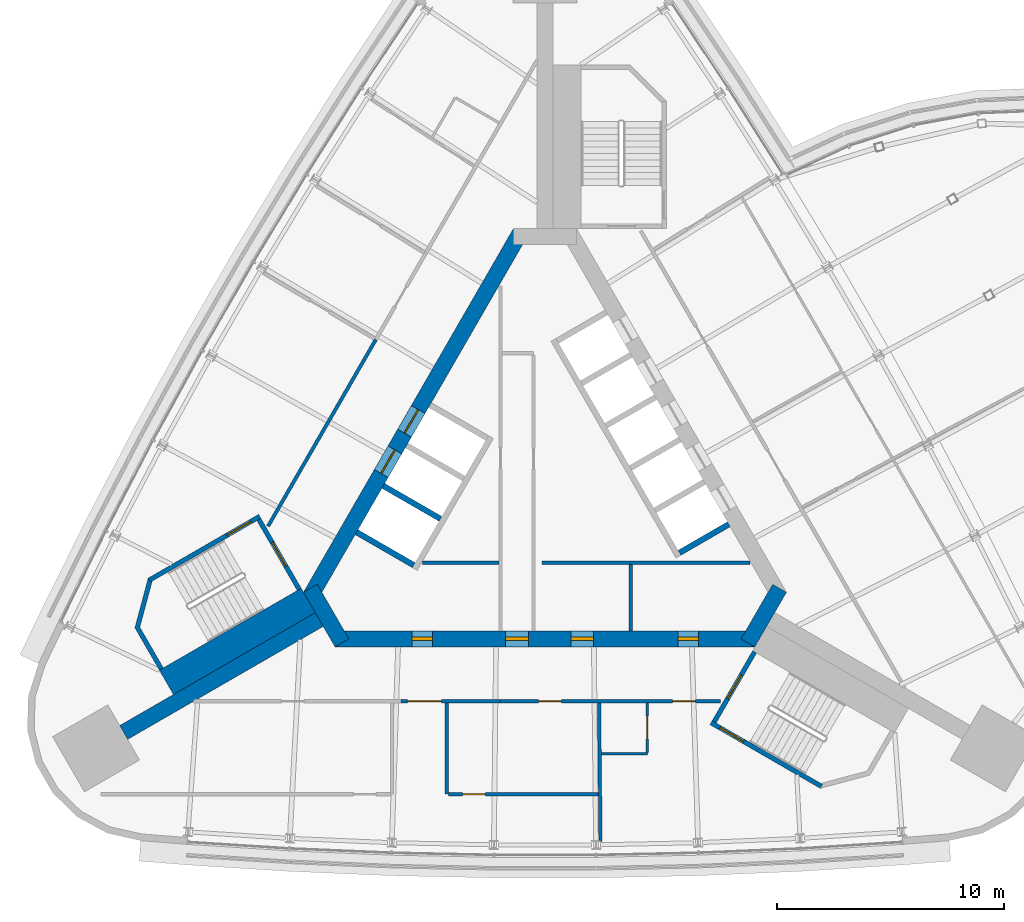
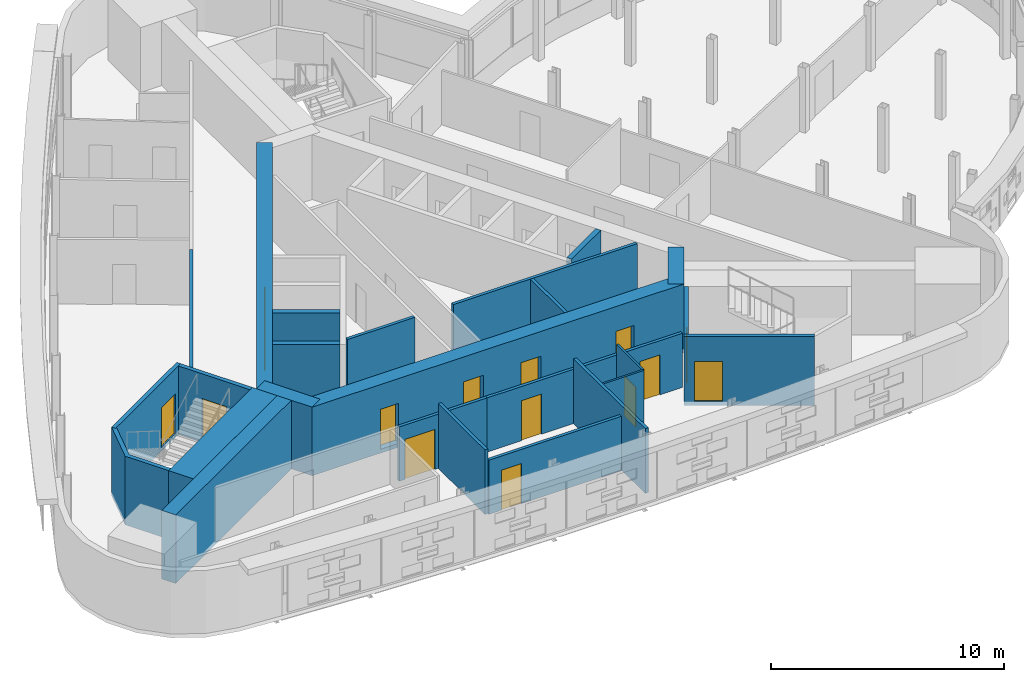
# One storey, part 10 of 15: 25 walls, 15 doors, 15 openings.
"""IFC4 building model written with IfcOpenShell, lengths in metres."""

from ifc_helpers import new_model, si_unit, direction, frame, frame_2d, origin, place, context, subcontext, project, spatial, polyline, rectangle, outline, extrude, material, layer, layer_set, type_object, element, fill, save


model = new_model("IFC4")

# Units and contexts
model_context = context("Model", 3, precision=1e-05, world=origin(), true_north=direction((0.0, 1.0)))
body_context = subcontext(model_context, "Body", "Model", "MODEL_VIEW")
ifc_project = project(units=[si_unit("LENGTHUNIT", "METRE"), si_unit("AREAUNIT", "SQUARE_METRE"), si_unit("VOLUMEUNIT", "CUBIC_METRE"), si_unit("PLANEANGLEUNIT", "RADIAN"), si_unit("MASSUNIT", "GRAM", prefix="KILO")], contexts=[model_context])

# Site, building, storey
site_placement = place(None, origin())
site = spatial("IfcSite", under=ifc_project, at=site_placement, CompositionType="ELEMENT")
building_placement = place(site_placement, origin())
building = spatial("IfcBuilding", under=site, at=building_placement, Name="Noor Cloister Tower", CompositionType="ELEMENT")
storey_placement = place(building_placement, frame((0.0, 0.0, 177.89990234375)))
storey = spatial("IfcBuildingStorey", under=building, at=storey_placement, Name="L45", CompositionType="ELEMENT", Elevation=177.89990234375)

# Walls
ifc_material_1 = material(Name="Concrete C70/85", Category="concrete")
ifc_layer_1 = layer(ifc_material_1, 0.699951171875)
ifc_layer_set_1 = layer_set([ifc_layer_1], Name="Buttress wall 700 C70/85")
wall_type_1 = type_object("IfcWallType", Name="Buttress wall 700 C70/85", PredefinedType="SHEAR", material=ifc_layer_set_1)
wall_1_placement = place(storey_placement, frame((-9.921630859375, -5.728271484375, -0.199951171875), z_axis=(0.0, 0.0, 1.0), x_axis=(-0.866029553954, -0.499992811627, 0.0)))
element("IfcWall", 1, at=wall_1_placement, inside=storey, type_object=wall_type_1, Name="Buttress wall SW L45", PredefinedType="SHEAR", context=body_context, shape_type="SweptSolid", body=[
    extrude(rectangle(XDim=9.927490234375, YDim=0.699951171875, at=frame_2d((4.9638671875, 0.0))), origin(), (0.0, 0.0, 1.0), 3.60009765625),
])
ifc_material_2 = material(Name="Concrete C30/37", Category="concrete")
ifc_layer_2 = layer(ifc_material_2, 0.14990234375)
ifc_layer_set_2 = layer_set([ifc_layer_2], Name="Core partition 150 C30/37")
wall_type_2 = type_object("IfcWallType", Name="Core partition 150 C30/37", PredefinedType="PARTITIONING", material=ifc_layer_set_2)
wall_2_placement = place(storey_placement, frame((-5.373291015625, -3.228271484375, 0.0), z_axis=(0.0, 0.0, 1.0), x_axis=(1.0, 0.0, 0.0)))
element("IfcWall", 2, at=wall_2_placement, inside=storey, type_object=wall_type_2, Name="Core room partition L45 1", PredefinedType="PARTITIONING", context=body_context, shape_type="SweptSolid", body=[
    extrude(rectangle(XDim=3.344482421875, YDim=0.14990234375, at=frame_2d((1.67236328125, 0.0))), origin(), (0.0, 0.0, 1.0), 3.400146484375),
])
wall_3_placement = place(storey_placement, frame((-0.128662109375, -3.228271484375, 0.0), z_axis=(0.0, 0.0, 1.0), x_axis=(1.0, 0.0, 0.0)))
element("IfcWall", 3, at=wall_3_placement, inside=storey, type_object=wall_type_2, Name="Core room partition L45 5", PredefinedType="PARTITIONING", context=body_context, shape_type="SweptSolid", body=[
    extrude(rectangle(XDim=9.13916015625, YDim=0.14990234375, at=frame_2d((4.569580078125, 0.0))), origin(), (0.0, 0.0, 1.0), 3.400146484375),
])
wall_4_placement = place(storey_placement, frame((3.771240234375, -3.30322265625, 0.0), z_axis=(0.0, 0.0, 1.0), x_axis=(0.0, -1.0, 0.0)))
element("IfcWall", 4, at=wall_4_placement, inside=storey, type_object=wall_type_2, Name="Core room partition L45 6", PredefinedType="PARTITIONING", context=body_context, shape_type="SweptSolid", body=[
    extrude(rectangle(XDim=2.925048828125, YDim=0.14990234375, at=frame_2d((1.46240234375, 0.0))), origin(), (0.0, 0.0, 1.0), 3.400146484375),
])

# Wall, openings, doors
ifc_material_3 = material(Name="Concrete C70/85", Category="concrete")
ifc_layer_3 = layer(ifc_material_3, 0.699951171875)
ifc_layer_set_3 = layer_set([ifc_layer_3], Name="Core wall 700 C70/85")
wall_type_3 = type_object("IfcWallType", Name="Core wall 700 C70/85", PredefinedType="SHEAR", material=ifc_layer_set_3)
wall_5_placement = place(storey_placement, frame((-9.228759765625, -6.578125, -0.199951171875), z_axis=(0.0, 0.0, 1.0), x_axis=(1.0, 0.0, 0.0)))
wall_5 = element("IfcWall", 5, at=wall_5_placement, inside=storey, type_object=wall_type_3, Name="Core wall L45 1", PredefinedType="SHEAR", context=body_context, shape_type="SweptSolid", body=[
    extrude(rectangle(XDim=18.45751953125, YDim=0.699951171875, at=frame_2d((9.228759765625, 0.0))), origin(), (0.0, 0.0, 1.0), 3.60009765625),
])
opening_1_placement = place(wall_5_placement, frame((7.5, 0.0, 0.199951171875)))
opening_1 = element("IfcOpeningElement", 6, at=opening_1_placement, cuts=wall_5, Name="Opening L45-901", PredefinedType="OPENING", context=body_context, shape_type="SweptSolid", body=[
    extrude(rectangle(XDim=1.0, YDim=2.10009765625, at=frame_2d((0.5, 1.050048828125))), frame((0.0, 0.35986328125, 0.0), z_axis=(0.0, -1.0, 0.0), x_axis=(1.0, 0.0, 0.0)), (0.0, 0.0, 1.0), 0.719970703125),
])
opening_2_placement = place(wall_5_placement, frame((3.389404296875, 0.0, 0.199951171875)))
opening_2 = element("IfcOpeningElement", 7, at=opening_2_placement, cuts=wall_5, Name="Opening L45-902", PredefinedType="OPENING", context=body_context, shape_type="SweptSolid", body=[
    extrude(rectangle(XDim=0.89990234375, YDim=2.10009765625, at=frame_2d((0.449951171875, 1.050048828125))), frame((0.0, 0.35986328125, 0.0), z_axis=(0.0, -1.0, 0.0), x_axis=(1.0, 0.0, 0.0)), (0.0, 0.0, 1.0), 0.719970703125),
])
opening_3_placement = place(wall_5_placement, frame((10.362548828125, 0.0, 0.199951171875)))
opening_3 = element("IfcOpeningElement", 8, at=opening_3_placement, cuts=wall_5, Name="Opening L45-903", PredefinedType="OPENING", context=body_context, shape_type="SweptSolid", body=[
    extrude(rectangle(XDim=1.0, YDim=2.10009765625, at=frame_2d((0.5, 1.050048828125))), frame((0.0, 0.35986328125, 0.0), z_axis=(0.0, -1.0, 0.0), x_axis=(1.0, 0.0, 0.0)), (0.0, 0.0, 1.0), 0.719970703125),
])
opening_4_placement = place(wall_5_placement, frame((15.07666015625, 0.0, 0.199951171875)))
opening_4 = element("IfcOpeningElement", 9, at=opening_4_placement, cuts=wall_5, Name="Opening L45-904", PredefinedType="OPENING", context=body_context, shape_type="SweptSolid", body=[
    extrude(rectangle(XDim=0.89990234375, YDim=2.10009765625, at=frame_2d((0.449951171875, 1.050048828125))), frame((0.0, 0.35986328125, 0.0), z_axis=(0.0, -1.0, 0.0), x_axis=(1.0, 0.0, 0.0)), (0.0, 0.0, 1.0), 0.719970703125),
])
ifc_material_4 = material(Name="Steel", Category="steel")
door_type_1 = type_object("IfcDoorType", Name="Core door 1000 x 2100 FD120", OperationType="SINGLE_SWING_LEFT", PredefinedType="DOOR", material=ifc_material_4)
door_1_placement = place(opening_1_placement, origin())
door_1 = element("IfcDoor", 10, at=door_1_placement, inside=storey, type_object=door_type_1, Name="Core door 1 L45", OperationType="SINGLE_SWING_LEFT", OverallHeight=2.10009765625, OverallWidth=1.0, PredefinedType="DOOR", context=body_context, shape_type="SweptSolid", body=[
    extrude(rectangle(XDim=1.0, YDim=2.10009765625, at=frame_2d((0.5, 1.050048828125))), frame((0.0, 0.074951171875, 0.0), z_axis=(0.0, -1.0, 0.0), x_axis=(1.0, 0.0, 0.0)), (0.0, 0.0, 1.0), 0.14990234375),
])
fill(opening_1, door_1)
ifc_material_5 = material(Name="Steel", Category="steel")
door_type_2 = type_object("IfcDoorType", Name="Core door 1000 x 2100 FD60", OperationType="SINGLE_SWING_LEFT", PredefinedType="DOOR", material=ifc_material_5)
door_2_placement = place(opening_3_placement, origin())
door_2 = element("IfcDoor", 11, at=door_2_placement, inside=storey, type_object=door_type_2, Name="Core door 3 L45", OperationType="SINGLE_SWING_LEFT", OverallHeight=2.10009765625, OverallWidth=1.0, PredefinedType="DOOR", context=body_context, shape_type="SweptSolid", body=[
    extrude(rectangle(XDim=1.0, YDim=2.10009765625, at=frame_2d((0.5, 1.050048828125))), frame((0.0, 0.074951171875, 0.0), z_axis=(0.0, -1.0, 0.0), x_axis=(1.0, 0.0, 0.0)), (0.0, 0.0, 1.0), 0.14990234375),
])
fill(opening_3, door_2)
ifc_material_6 = material(Name="Steel", Category="steel")
door_type_3 = type_object("IfcDoorType", Name="Core door 900 x 2100 FD120", OperationType="SINGLE_SWING_LEFT", PredefinedType="DOOR", material=ifc_material_6)
door_3_placement = place(opening_2_placement, origin())
door_3 = element("IfcDoor", 12, at=door_3_placement, inside=storey, type_object=door_type_3, Name="Core door 2 L45", OperationType="SINGLE_SWING_RIGHT", OverallHeight=2.10009765625, OverallWidth=0.89990234375, PredefinedType="DOOR", context=body_context, shape_type="SweptSolid", body=[
    extrude(rectangle(XDim=0.89990234375, YDim=2.10009765625, at=frame_2d((0.449951171875, 1.050048828125))), frame((0.0, 0.074951171875, 0.0), z_axis=(0.0, -1.0, 0.0), x_axis=(1.0, 0.0, 0.0)), (0.0, 0.0, 1.0), 0.14990234375),
])
fill(opening_2, door_3)
ifc_material_7 = material(Name="Steel", Category="steel")
door_type_4 = type_object("IfcDoorType", Name="Core door 900 x 2100 FD60", OperationType="SINGLE_SWING_LEFT", PredefinedType="DOOR", material=ifc_material_7)
door_4_placement = place(opening_4_placement, origin())
door_4 = element("IfcDoor", 13, at=door_4_placement, inside=storey, type_object=door_type_4, Name="Core door 4 L45", OperationType="SINGLE_SWING_RIGHT", OverallHeight=2.10009765625, OverallWidth=0.89990234375, PredefinedType="DOOR", context=body_context, shape_type="SweptSolid", body=[
    extrude(rectangle(XDim=0.89990234375, YDim=2.10009765625, at=frame_2d((0.449951171875, 1.050048828125))), frame((0.0, 0.074951171875, 0.0), z_axis=(0.0, -1.0, 0.0), x_axis=(1.0, 0.0, 0.0)), (0.0, 0.0, 1.0), 0.14990234375),
])
fill(opening_4, door_4)

# Wall
wall_6_placement = place(storey_placement, frame((8.925537109375, -6.753173828125, -0.199951171875), z_axis=(0.0, 0.0, 1.0), x_axis=(0.500042739161, 0.866000726912, 0.0)))
element("IfcWall", 14, at=wall_6_placement, inside=storey, type_object=wall_type_3, Name="Core wall L45 2", PredefinedType="SHEAR", context=body_context, shape_type="SweptSolid", body=[
    extrude(rectangle(XDim=2.771240234375, YDim=0.699951171875, at=frame_2d((1.3857421875, 0.0))), origin(), (0.0, 0.0, 1.0), 3.60009765625),
])

# Wall, openings, doors
wall_7_placement = place(storey_placement, frame((-1.08251953125, 11.281494140625, -0.199951171875), z_axis=(0.0, 0.0, 1.0), x_axis=(-0.500001446645, -0.866024568562, 0.0)))
wall_7 = element("IfcWall", 15, at=wall_7_placement, inside=storey, type_object=wall_type_3, Name="Core wall L45 5", PredefinedType="SHEAR", context=body_context, shape_type="SweptSolid", body=[
    extrude(rectangle(XDim=18.45751953125, YDim=0.699951171875, at=frame_2d((9.228759765625, 0.0))), origin(), (0.0, 0.0, 1.0), 3.60009765625),
])
opening_5_placement = place(wall_7_placement, frame((8.978759765625, 0.0, 0.199951171875)))
opening_5 = element("IfcOpeningElement", 16, at=opening_5_placement, cuts=wall_7, Name="Opening L45-FF1", PredefinedType="OPENING", context=body_context, shape_type="SweptSolid", body=[
    extrude(rectangle(XDim=1.199951171875, YDim=2.10009765625, at=frame_2d((0.60009765625, 1.050048828125))), frame((0.0, 0.35986328125, 0.0), z_axis=(0.0, -1.0, 0.0), x_axis=(1.0, 0.0, 0.0)), (0.0, 0.0, 1.0), 0.719970703125),
])
opening_6_placement = place(wall_7_placement, frame((11.02880859375, 0.0, 0.199951171875)))
opening_6 = element("IfcOpeningElement", 17, at=opening_6_placement, cuts=wall_7, Name="Opening L45-FF2", PredefinedType="OPENING", context=body_context, shape_type="SweptSolid", body=[
    extrude(rectangle(XDim=1.199951171875, YDim=2.10009765625, at=frame_2d((0.60009765625, 1.050048828125))), frame((0.0, 0.35986328125, 0.0), z_axis=(0.0, -1.0, 0.0), x_axis=(1.0, 0.0, 0.0)), (0.0, 0.0, 1.0), 0.719970703125),
])
ifc_material_8 = material(Name="Stainless steel", Category="steel")
door_type_5 = type_object("IfcDoorType", Name="Lift landing door 1200 x 2100", OperationType="DOUBLE_DOOR_SLIDING", PredefinedType="DOOR", material=ifc_material_8)
door_5_placement = place(opening_5_placement, origin())
door_5 = element("IfcDoor", 18, at=door_5_placement, inside=storey, type_object=door_type_5, Name="Landing door FF1 L45", OperationType="DOUBLE_DOOR_SLIDING", OverallHeight=2.10009765625, OverallWidth=1.199951171875, PredefinedType="DOOR", context=body_context, shape_type="SweptSolid", body=[
    extrude(rectangle(XDim=1.199951171875, YDim=2.10009765625, at=frame_2d((0.60009765625, 1.050048828125))), frame((0.0, 0.02490234375, 0.0), z_axis=(0.0, -1.0, 0.0), x_axis=(1.0, 0.0, 0.0)), (0.0, 0.0, 1.0), 0.050048828125),
])
fill(opening_5, door_5)
door_6_placement = place(opening_6_placement, origin())
door_6 = element("IfcDoor", 19, at=door_6_placement, inside=storey, type_object=door_type_5, Name="Landing door FF2 L45", OperationType="DOUBLE_DOOR_SLIDING", OverallHeight=2.10009765625, OverallWidth=1.199951171875, PredefinedType="DOOR", context=body_context, shape_type="SweptSolid", body=[
    extrude(rectangle(XDim=1.199951171875, YDim=2.10009765625, at=frame_2d((0.60009765625, 1.050048828125))), frame((0.0, 0.02490234375, 0.0), z_axis=(0.0, -1.0, 0.0), x_axis=(1.0, 0.0, 0.0)), (0.0, 0.0, 1.0), 0.050048828125),
])
fill(opening_6, door_6)

# Walls
wall_8_placement = place(storey_placement, frame((-10.311279296875, -4.353271484375, -0.199951171875), z_axis=(0.0, 0.0, 1.0), x_axis=(0.500042739161, -0.866000726912, 0.0)))
element("IfcWall", 20, at=wall_8_placement, inside=storey, type_object=wall_type_3, Name="Core wall L45 6", PredefinedType="SHEAR", context=body_context, shape_type="SweptSolid", body=[
    extrude(rectangle(XDim=2.771240234375, YDim=0.699951171875, at=frame_2d((1.3857421875, 0.0))), origin(), (0.0, 0.0, 1.0), 3.60009765625),
])
ifc_material_9 = material(Name="Fire-rated gypsum board partition on steel studs, 150 mm", Category="steel")
ifc_layer_4 = layer(ifc_material_9, 0.14990234375)
ifc_layer_set_4 = layer_set([ifc_layer_4], Name="Fire lobby wall 150")
wall_type_4 = type_object("IfcWallType", Name="Fire lobby wall 150", PredefinedType="PARTITIONING", material=ifc_layer_set_4)
wall_9_placement = place(storey_placement, frame((-7.43408203125, 6.580078125, 0.0), z_axis=(0.0, 0.0, 1.0), x_axis=(-0.499998195608, -0.866026445548, 0.0)))
element("IfcWall", 21, at=wall_9_placement, inside=storey, type_object=wall_type_4, Name="Wall L45-W19", PredefinedType="PARTITIONING", context=body_context, shape_type="SweptSolid", body=[
    extrude(rectangle(XDim=9.47802734375, YDim=0.14990234375, at=frame_2d((4.739013671875, 0.0))), origin(), (0.0, 0.0, 1.0), 2.84716796875),
])

# Wall, openings, doors
ifc_material_10 = material(Name="Gypsum board partition on steel studs, 150 mm", Category="steel")
ifc_layer_5 = layer(ifc_material_10, 0.14990234375)
ifc_layer_set_5 = layer_set([ifc_layer_5], Name="Flat wall 150")
wall_type_5 = type_object("IfcWallType", Name="Flat wall 150", PredefinedType="PARTITIONING", material=ifc_layer_set_5)
wall_10_placement = place(storey_placement, frame((-1.977294921875, -9.328125, 0.0), z_axis=(0.0, 0.0, 1.0), x_axis=(1.0, 0.0, 0.0)))
wall_10 = element("IfcWall", 22, at=wall_10_placement, inside=storey, type_object=wall_type_5, Name="Wall L45-W09", PredefinedType="PARTITIONING", context=body_context, shape_type="SweptSolid", body=[
    extrude(rectangle(XDim=9.704833984375, YDim=0.14990234375, at=frame_2d((4.8525390625, 0.0))), origin(), (0.0, 0.0, 1.0), 2.84716796875),
])
opening_7_placement = place(wall_10_placement, frame((1.702392578125, 0.0, 0.0)))
opening_7 = element("IfcOpeningElement", 23, at=opening_7_placement, cuts=wall_10, Name="Opening L45-012", PredefinedType="OPENING", context=body_context, shape_type="SweptSolid", body=[
    extrude(rectangle(XDim=1.0, YDim=2.10009765625, at=frame_2d((0.5, 1.050048828125))), frame((0.0, 0.0849609375, 0.0), z_axis=(0.0, -1.0, 0.0), x_axis=(1.0, 0.0, 0.0)), (0.0, 0.0, 1.0), 0.169921875),
])
opening_8_placement = place(wall_10_placement, frame((7.592041015625, 0.0, 0.0)))
opening_8 = element("IfcOpeningElement", 24, at=opening_8_placement, cuts=wall_10, Name="Opening L45-014", PredefinedType="OPENING", context=body_context, shape_type="SweptSolid", body=[
    extrude(rectangle(XDim=1.0, YDim=2.10009765625, at=frame_2d((0.5, 1.050048828125))), frame((0.0, 0.0849609375, 0.0), z_axis=(0.0, -1.0, 0.0), x_axis=(1.0, 0.0, 0.0)), (0.0, 0.0, 1.0), 0.169921875),
])
ifc_material_11 = material(Name="Timber door leaf with steel frame", Category="steel")
door_type_6 = type_object("IfcDoorType", Name="Flat entrance door 1000", OperationType="NOTDEFINED", PredefinedType="DOOR", material=ifc_material_11)
door_7_placement = place(opening_8_placement, origin())
door_7 = element("IfcDoor", 25, at=door_7_placement, inside=storey, type_object=door_type_6, Name="Door L45-014", OperationType="SINGLE_SWING_RIGHT", OverallHeight=2.10009765625, OverallWidth=1.0, PredefinedType="DOOR", context=body_context, shape_type="SweptSolid", body=[
    extrude(rectangle(XDim=1.0, YDim=2.10009765625, at=frame_2d((0.5, 1.050048828125))), frame((0.0, 0.02490234375, 0.0), z_axis=(0.0, -1.0, 0.0), x_axis=(1.0, 0.0, 0.0)), (0.0, 0.0, 1.0), 0.050048828125),
])
fill(opening_8, door_7)
ifc_material_12 = material(Name="Timber door leaf with steel frame", Category="steel")
door_type_7 = type_object("IfcDoorType", Name="Interior door 1000 FD60", OperationType="NOTDEFINED", PredefinedType="DOOR", material=ifc_material_12)
door_8_placement = place(opening_7_placement, origin())
door_8 = element("IfcDoor", 26, at=door_8_placement, inside=storey, type_object=door_type_7, Name="Door L45-012", OperationType="SINGLE_SWING_RIGHT", OverallHeight=2.10009765625, OverallWidth=1.0, PredefinedType="DOOR", context=body_context, shape_type="SweptSolid", body=[
    extrude(rectangle(XDim=1.0, YDim=2.10009765625, at=frame_2d((0.5, 1.050048828125))), frame((0.0, 0.02490234375, 0.0), z_axis=(0.0, -1.0, 0.0), x_axis=(1.0, 0.0, 0.0)), (0.0, 0.0, 1.0), 0.050048828125),
])
fill(opening_7, door_8)

# Wall, opening, door
wall_11_placement = place(storey_placement, frame((-6.333984375, -9.328125, 0.0), z_axis=(0.0, 0.0, 1.0), x_axis=(1.0, 0.0, 0.0)))
wall_11 = element("IfcWall", 27, at=wall_11_placement, inside=storey, type_object=wall_type_5, Name="Wall L45-W10", PredefinedType="PARTITIONING", context=body_context, shape_type="SweptSolid", body=[
    extrude(rectangle(XDim=4.356689453125, YDim=0.14990234375, at=frame_2d((2.17822265625, 0.0))), origin(), (0.0, 0.0, 1.0), 2.84716796875),
])
opening_9_placement = place(wall_11_placement, frame((0.280517578125, 0.0, 0.0)))
opening_9 = element("IfcOpeningElement", 28, at=opening_9_placement, cuts=wall_11, Name="Opening L45-008", PredefinedType="OPENING", context=body_context, shape_type="SweptSolid", body=[
    extrude(rectangle(XDim=1.5, YDim=2.10009765625, at=frame_2d((0.75, 1.050048828125))), frame((0.0, 0.0849609375, 0.0), z_axis=(0.0, -1.0, 0.0), x_axis=(1.0, 0.0, 0.0)), (0.0, 0.0, 1.0), 0.169921875),
])
ifc_material_13 = material(Name="Timber door leaf with steel frame", Category="steel")
door_type_8 = type_object("IfcDoorType", Name="Double door 1500 FD60", OperationType="NOTDEFINED", PredefinedType="DOOR", material=ifc_material_13)
door_9_placement = place(opening_9_placement, origin())
door_9 = element("IfcDoor", 29, at=door_9_placement, inside=storey, type_object=door_type_8, Name="Door L45-008", OperationType="DOUBLE_DOOR_SINGLE_SWING", OverallHeight=2.10009765625, OverallWidth=1.5, PredefinedType="DOOR", context=body_context, shape_type="SweptSolid", body=[
    extrude(rectangle(XDim=1.5, YDim=2.10009765625, at=frame_2d((0.75, 1.050048828125))), frame((0.0, 0.02490234375, 0.0), z_axis=(0.0, -1.0, 0.0), x_axis=(1.0, 0.0, 0.0)), (0.0, 0.0, 1.0), 0.050048828125),
])
fill(opening_9, door_9)

# Walls
wall_12_placement = place(storey_placement, frame((2.442626953125, -15.47900390625, 0.0), z_axis=(0.0, 0.0, 1.0), x_axis=(-0.010607777316, 0.999943735947, 0.0)))
element("IfcWall", 30, at=wall_12_placement, inside=storey, type_object=wall_type_5, Name="Wall L45-W11", PredefinedType="PARTITIONING", context=body_context, shape_type="SweptSolid", body=[
    extrude(rectangle(XDim=6.075927734375, YDim=0.14990234375, at=frame_2d((3.0380859375, 0.0))), origin(), (0.0, 0.0, 1.0), 3.400146484375),
])
wall_13_placement = place(storey_placement, frame((-4.322998046875, -9.4033203125, 0.0), z_axis=(0.0, 0.0, 1.0), x_axis=(0.0, -1.0, 0.0)))
element("IfcWall", 31, at=wall_13_placement, inside=storey, type_object=wall_type_5, Name="Wall L45-W13", PredefinedType="PARTITIONING", context=body_context, shape_type="SweptSolid", body=[
    extrude(rectangle(XDim=4.004638671875, YDim=0.14990234375, at=frame_2d((2.00244140625, 0.0))), origin(), (0.0, 0.0, 1.0), 3.400146484375),
])

# Wall, opening, door
wall_14_placement = place(storey_placement, frame((-4.248046875, -13.407958984375, 0.0), z_axis=(0.0, 0.0, 1.0), x_axis=(1.0, 0.0, 0.0)))
wall_14 = element("IfcWall", 32, at=wall_14_placement, inside=storey, type_object=wall_type_5, Name="Wall L45-W15", PredefinedType="PARTITIONING", context=body_context, shape_type="SweptSolid", body=[
    extrude(rectangle(XDim=6.593505859375, YDim=0.14990234375, at=frame_2d((3.296875, 0.0))), origin(), (0.0, 0.0, 1.0), 2.84716796875),
])
opening_10_placement = place(wall_14_placement, frame((0.625, 0.0, 0.0)))
opening_10 = element("IfcOpeningElement", 33, at=opening_10_placement, cuts=wall_14, Name="Opening L45-011", PredefinedType="OPENING", context=body_context, shape_type="SweptSolid", body=[
    extrude(rectangle(XDim=1.0, YDim=2.10009765625, at=frame_2d((0.5, 1.050048828125))), frame((0.0, 0.0849609375, 0.0), z_axis=(0.0, -1.0, 0.0), x_axis=(1.0, 0.0, 0.0)), (0.0, 0.0, 1.0), 0.169921875),
])
door_10_placement = place(opening_10_placement, origin())
door_10 = element("IfcDoor", 34, at=door_10_placement, inside=storey, type_object=door_type_7, Name="Door L45-011", OperationType="SINGLE_SWING_LEFT", OverallHeight=2.10009765625, OverallWidth=1.0, PredefinedType="DOOR", context=body_context, shape_type="SweptSolid", body=[
    extrude(rectangle(XDim=1.0, YDim=2.10009765625, at=frame_2d((0.5, 1.050048828125))), frame((0.0, 0.02490234375, 0.0), z_axis=(0.0, -1.0, 0.0), x_axis=(1.0, 0.0, 0.0)), (0.0, 0.0, 1.0), 0.050048828125),
])
fill(opening_10, door_10)

# Wall
ifc_material_14 = material(Name="Gypsum board partition on steel studs, 100 mm", Category="steel")
ifc_layer_6 = layer(ifc_material_14, 0.10009765625)
ifc_layer_set_6 = layer_set([ifc_layer_6], Name="Partition 100")
wall_type_6 = type_object("IfcWallType", Name="Partition 100", PredefinedType="PARTITIONING", material=ifc_layer_set_6)
wall_15_placement = place(storey_placement, frame((2.476806640625, -11.628173828125, 0.0), z_axis=(0.0, 0.0, 1.0), x_axis=(1.0, 0.0, 0.0)))
element("IfcWall", 35, at=wall_15_placement, inside=storey, type_object=wall_type_6, Name="Wall L45-W16", PredefinedType="PARTITIONING", context=body_context, shape_type="SweptSolid", body=[
    extrude(rectangle(XDim=2.02490234375, YDim=0.10009765625, at=frame_2d((1.012451171875, 0.0))), origin(), (0.0, 0.0, 1.0), 3.400146484375),
])

# Wall, opening, door
wall_16_placement = place(storey_placement, frame((4.501708984375, -11.578125, 0.0), z_axis=(0.0, 0.0, 1.0), x_axis=(0.0, 1.0, 0.0)))
wall_16 = element("IfcWall", 36, at=wall_16_placement, inside=storey, type_object=wall_type_6, Name="Wall L45-W17", PredefinedType="PARTITIONING", context=body_context, shape_type="SweptSolid", body=[
    extrude(rectangle(XDim=2.1748046875, YDim=0.10009765625, at=frame_2d((1.08740234375, 0.0))), origin(), (0.0, 0.0, 1.0), 3.400146484375),
])
opening_11_placement = place(wall_16_placement, frame((0.60009765625, 0.0, 0.0)))
opening_11 = element("IfcOpeningElement", 37, at=opening_11_placement, cuts=wall_16, Name="Opening L45-013", PredefinedType="OPENING", context=body_context, shape_type="SweptSolid", body=[
    extrude(rectangle(XDim=1.0, YDim=2.10009765625, at=frame_2d((0.5, 1.050048828125))), frame((0.0, 0.06005859375, 0.0), z_axis=(0.0, -1.0, 0.0), x_axis=(1.0, 0.0, 0.0)), (0.0, 0.0, 1.0), 0.1201171875),
])
ifc_material_15 = material(Name="Timber door leaf with steel frame", Category="steel")
door_type_9 = type_object("IfcDoorType", Name="Interior door 1000", OperationType="NOTDEFINED", PredefinedType="DOOR", material=ifc_material_15)
door_11_placement = place(opening_11_placement, origin())
door_11 = element("IfcDoor", 38, at=door_11_placement, inside=storey, type_object=door_type_9, Name="Door L45-013", OperationType="SINGLE_SWING_LEFT", OverallHeight=2.10009765625, OverallWidth=1.0, PredefinedType="DOOR", context=body_context, shape_type="SweptSolid", body=[
    extrude(rectangle(XDim=1.0, YDim=2.10009765625, at=frame_2d((0.5, 1.050048828125))), frame((0.0, 0.02490234375, 0.0), z_axis=(0.0, -1.0, 0.0), x_axis=(1.0, 0.0, 0.0)), (0.0, 0.0, 1.0), 0.050048828125),
])
fill(opening_11, door_11)

# Walls
ifc_material_16 = material(Name="Concrete C70/85", Category="concrete")
ifc_layer_7 = layer(ifc_material_16, 0.25)
ifc_layer_set_7 = layer_set([ifc_layer_7], Name="Shaft wall 250 C70/85")
wall_type_7 = type_object("IfcWallType", Name="Shaft wall 250 C70/85", PredefinedType="PARTITIONING", material=ifc_layer_set_7)
wall_17_placement = place(storey_placement, frame((8.081298828125, -1.540771484375, -0.199951171875), z_axis=(0.0, 0.0, 1.0), x_axis=(-0.866022959057, -0.500004234368, 0.0)))
element("IfcWall", 39, at=wall_17_placement, inside=storey, type_object=wall_type_7, Name="Lift shaft wall L45 NE 1", PredefinedType="PARTITIONING", context=body_context, shape_type="SweptSolid", body=[
    extrude(rectangle(XDim=2.5, YDim=0.25, at=frame_2d((1.25, 0.0))), origin(), (0.0, 0.0, 1.0), 3.60009765625),
])
for number, where, z_axis, x_axis, name in (
    (40, (-7.106201171875, 0.14794921875, -0.199951171875), (0.0, 0.0, 1.0), (0.866032775405, -0.499987231761, 0.0), "Lift shaft wall L45 NW 5"),
    (41, (-8.28125, -1.88720703125, -0.199951171875), (0.0, 0.0, 1.0), (0.866032775405, -0.499987231761, 0.0), "Lift shaft wall L45 NW 6"),
):
    element("IfcWall", number, at=place(storey_placement, frame(where, z_axis=z_axis, x_axis=x_axis)), inside=storey, type_object=wall_type_7, Name=name, PredefinedType="PARTITIONING", context=body_context, shape_type="SweptSolid", body=[
        extrude(rectangle(XDim=2.89990234375, YDim=0.25, at=frame_2d((1.449951171875, 0.0))), origin(), (0.0, 0.0, 1.0), 3.60009765625),
    ])
ifc_material_17 = material(Name="Concrete C70/85", Category="concrete")
ifc_layer_8 = layer(ifc_material_17, 1.236083984375)
ifc_layer_set_8 = layer_set([ifc_layer_8], Name="Stair enclosure wall 1236 C70/85")
wall_type_8 = type_object("IfcWallType", Name="Stair enclosure wall 1236 C70/85", PredefinedType="SHEAR", material=ifc_layer_set_8)
wall_18_placement = place(storey_placement, frame((-10.405517578125, -4.889892578125, -0.199951171875), z_axis=(0.0, 0.0, 1.0), x_axis=(-0.866018442252, -0.500012057535, 0.0)))
element("IfcWall", 42, at=wall_18_placement, inside=storey, type_object=wall_type_8, Name="Stair enclosure wall ST2 L45 riser side", PredefinedType="SHEAR", context=body_context, shape_type="SweptSolid", body=[
    extrude(rectangle(XDim=7.199951171875, YDim=1.235595703125, at=frame_2d((3.60009765625, 0.0))), origin(), (0.0, 0.0, 1.0), 3.60009765625),
])

# Wall, opening, door
ifc_material_18 = material(Name="Concrete C70/85", Category="concrete")
ifc_layer_9 = layer(ifc_material_18, 0.199951171875)
ifc_layer_set_9 = layer_set([ifc_layer_9], Name="Stair enclosure wall 200 C70/85")
wall_type_9 = type_object("IfcWallType", Name="Stair enclosure wall 200 C70/85", PredefinedType="SHEAR", material=ifc_layer_set_9)
wall_19_placement = place(storey_placement, frame((-12.575927734375, -1.33056640625, -0.199951171875), z_axis=(0.0, 0.0, 1.0), x_axis=(0.499970499736, -0.8660424351, 0.0)))
wall_19 = element("IfcWall", 43, at=wall_19_placement, inside=storey, type_object=wall_type_9, Name="Stair enclosure wall ST2 L45 near end", PredefinedType="SHEAR", context=body_context, shape_type="SweptSolid", body=[
    extrude(rectangle(XDim=3.550048828125, YDim=0.199951171875, at=frame_2d((1.77490234375, 0.0))), origin(), (0.0, 0.0, 1.0), 3.60009765625),
])
opening_12_placement = place(wall_19_placement, frame((1.175048828125, 0.0, 0.199951171875)))
opening_12 = element("IfcOpeningElement", 44, at=opening_12_placement, cuts=wall_19, Name="Opening L45-ST2L", PredefinedType="OPENING", context=body_context, shape_type="SweptSolid", body=[
    extrude(rectangle(XDim=1.199951171875, YDim=2.10009765625, at=frame_2d((0.60009765625, 1.050048828125))), frame((0.0, 0.10986328125, 0.0), z_axis=(0.0, -1.0, 0.0), x_axis=(1.0, 0.0, 0.0)), (0.0, 0.0, 1.0), 0.219970703125),
])
ifc_material_19 = material(Name="Steel", Category="steel")
door_type_10 = type_object("IfcDoorType", Name="Stair door 1200 x 2100 FD120", OperationType="SINGLE_SWING_LEFT", PredefinedType="DOOR", material=ifc_material_19)
door_12_placement = place(opening_12_placement, origin())
door_12 = element("IfcDoor", 45, at=door_12_placement, inside=storey, type_object=door_type_10, Name="Stair door ST2 L45", OperationType="SINGLE_SWING_RIGHT", OverallHeight=2.10009765625, OverallWidth=1.199951171875, PredefinedType="DOOR", context=body_context, shape_type="SweptSolid", body=[
    extrude(rectangle(XDim=1.199951171875, YDim=2.10009765625, at=frame_2d((0.60009765625, 1.050048828125))), frame((0.0, 0.02490234375, 0.0), z_axis=(0.0, -1.0, 0.0), x_axis=(1.0, 0.0, 0.0)), (0.0, 0.0, 1.0), 0.050048828125),
])
fill(opening_12, door_12)

wall_20_placement = place(storey_placement, frame((-12.539306640625, -1.194091796875, -0.199951171875), z_axis=(0.0, 0.0, 1.0), x_axis=(-0.866045472092, -0.499965239061, 0.0)))
wall_20 = element("IfcWall", 46, at=wall_20_placement, inside=storey, type_object=wall_type_9, Name="Stair enclosure wall ST2 L45 outer side", PredefinedType="SHEAR", context=body_context, shape_type="SweptSolid", body=[
    extrude(rectangle(XDim=5.60009765625, YDim=0.199951171875, at=frame_2d((2.800048828125, 0.0))), origin(), (0.0, 0.0, 1.0), 3.60009765625),
])
opening_13_placement = place(wall_20_placement, frame((0.449951171875, 0.0, 0.199951171875)))
opening_13 = element("IfcOpeningElement", 47, at=opening_13_placement, cuts=wall_20, Name="Opening L45-ST2C", PredefinedType="OPENING", context=body_context, shape_type="SweptSolid", body=[
    extrude(rectangle(XDim=1.199951171875, YDim=2.10009765625, at=frame_2d((0.60009765625, 1.050048828125))), frame((0.0, 0.10986328125, 0.0), z_axis=(0.0, -1.0, 0.0), x_axis=(1.0, 0.0, 0.0)), (0.0, 0.0, 1.0), 0.219970703125),
])
door_13_placement = place(opening_13_placement, origin())
door_13 = element("IfcDoor", 48, at=door_13_placement, inside=storey, type_object=door_type_10, Name="Stair door ST2 L45", OperationType="SINGLE_SWING_LEFT", OverallHeight=2.10009765625, OverallWidth=1.199951171875, PredefinedType="DOOR", context=body_context, shape_type="SweptSolid", body=[
    extrude(rectangle(XDim=1.199951171875, YDim=2.10009765625, at=frame_2d((0.60009765625, 1.050048828125))), frame((0.0, 0.02490234375, 0.0), z_axis=(0.0, -1.0, 0.0), x_axis=(1.0, 0.0, 0.0)), (0.0, 0.0, 1.0), 0.050048828125),
])
fill(opening_13, door_13)

wall_21_placement = place(storey_placement, frame((7.440185546875, -10.225830078125, -0.199951171875), z_axis=(0.0, 0.0, 1.0), x_axis=(0.500022077904, 0.866012656725, 0.0)))
wall_21 = element("IfcWall", 49, at=wall_21_placement, inside=storey, type_object=wall_type_9, Name="Stair enclosure wall ST3 L45 near end", PredefinedType="SHEAR", context=body_context, shape_type="SweptSolid", body=[
    extrude(rectangle(XDim=3.550048828125, YDim=0.199951171875, at=frame_2d((1.77490234375, 0.0))), origin(), (0.0, 0.0, 1.0), 3.60009765625),
])
opening_14_placement = place(wall_21_placement, frame((1.175048828125, 0.0, 0.199951171875)))
opening_14 = element("IfcOpeningElement", 50, at=opening_14_placement, cuts=wall_21, Name="Opening L45-ST3L", PredefinedType="OPENING", context=body_context, shape_type="SweptSolid", body=[
    extrude(rectangle(XDim=1.199951171875, YDim=2.10009765625, at=frame_2d((0.60009765625, 1.050048828125))), frame((0.0, 0.10986328125, 0.0), z_axis=(0.0, -1.0, 0.0), x_axis=(1.0, 0.0, 0.0)), (0.0, 0.0, 1.0), 0.219970703125),
])
door_14_placement = place(opening_14_placement, origin())
door_14 = element("IfcDoor", 51, at=door_14_placement, inside=storey, type_object=door_type_10, Name="Stair door ST3 L45", OperationType="SINGLE_SWING_RIGHT", OverallHeight=2.10009765625, OverallWidth=1.199951171875, PredefinedType="DOOR", context=body_context, shape_type="SweptSolid", body=[
    extrude(rectangle(XDim=1.199951171875, YDim=2.10009765625, at=frame_2d((0.60009765625, 1.050048828125))), frame((0.0, 0.02490234375, 0.0), z_axis=(0.0, -1.0, 0.0), x_axis=(1.0, 0.0, 0.0)), (0.0, 0.0, 1.0), 0.050048828125),
])
fill(opening_14, door_14)

wall_22_placement = place(storey_placement, frame((7.3037109375, -10.262451171875, -0.199951171875), z_axis=(0.0, 0.0, 1.0), x_axis=(0.866026594901, -0.49999793692, 0.0)))
wall_22 = element("IfcWall", 52, at=wall_22_placement, inside=storey, type_object=wall_type_9, Name="Stair enclosure wall ST3 L45 outer side", PredefinedType="SHEAR", context=body_context, shape_type="SweptSolid", body=[
    extrude(rectangle(XDim=5.60009765625, YDim=0.199951171875, at=frame_2d((2.800048828125, 0.0))), origin(), (0.0, 0.0, 1.0), 3.60009765625),
])
opening_15_placement = place(wall_22_placement, frame((0.449951171875, 0.0, 0.199951171875)))
opening_15 = element("IfcOpeningElement", 53, at=opening_15_placement, cuts=wall_22, Name="Opening L45-ST3C", PredefinedType="OPENING", context=body_context, shape_type="SweptSolid", body=[
    extrude(rectangle(XDim=1.199951171875, YDim=2.10009765625, at=frame_2d((0.60009765625, 1.050048828125))), frame((0.0, 0.10986328125, 0.0), z_axis=(0.0, -1.0, 0.0), x_axis=(1.0, 0.0, 0.0)), (0.0, 0.0, 1.0), 0.219970703125),
])
door_15_placement = place(opening_15_placement, origin())
door_15 = element("IfcDoor", 54, at=door_15_placement, inside=storey, type_object=door_type_10, Name="Stair door ST3 L45", OperationType="SINGLE_SWING_LEFT", OverallHeight=2.10009765625, OverallWidth=1.199951171875, PredefinedType="DOOR", context=body_context, shape_type="SweptSolid", body=[
    extrude(rectangle(XDim=1.199951171875, YDim=2.10009765625, at=frame_2d((0.60009765625, 1.050048828125))), frame((0.0, 0.02490234375, 0.0), z_axis=(0.0, -1.0, 0.0), x_axis=(1.0, 0.0, 0.0)), (0.0, 0.0, 1.0), 0.050048828125),
])
fill(opening_15, door_15)

# Wall
ifc_material_20 = material(Name="Concrete C70/85", Category="concrete")
wall_type_10 = type_object("IfcWallType", Name="Stair far end wall C70/85", PredefinedType="SHEAR", material=ifc_material_20)
wall_23_placement = place(storey_placement, frame((0.0, 0.0, -0.199951171875)))
element("IfcWall", 55, at=wall_23_placement, inside=storey, type_object=wall_type_10, Name="Stair enclosure wall ST2 L45 far end", PredefinedType="SHEAR", context=body_context, shape_type="SweptSolid", body=[
    extrude(outline(polyline([(-17.439208984375, -3.907470703125), (-18.024658203125, -6.093017578125), (-16.94970703125, -7.955078125), (-16.776611328125, -7.85498046875), (-17.81005859375, -6.064697265625), (-17.267333984375, -4.039306640625), (-17.339111328125, -4.08056640625), (-17.339111328125, -4.08056640625), (-17.339111328125, -4.08056640625), (-17.339111328125, -4.08056640625), (-17.339111328125, -4.08056640625), (-17.339111328125, -4.08056640625), (-17.339111328125, -4.08056640625), (-17.339111328125, -4.08056640625), (-17.339111328125, -4.08056640625), (-17.339111328125, -4.08056640625), (-17.339111328125, -4.08056640625), (-17.339111328125, -4.08056640625), (-17.339111328125, -4.08056640625), (-17.339111328125, -4.08056640625), (-17.339111328125, -4.08056640625), (-17.339111328125, -4.08056640625), (-17.339111328125, -4.08056640625), (-17.439208984375, -3.907470703125)])), origin(), (0.0, 0.0, 1.0), 3.60009765625),
])

save(model, "model.ifc")
